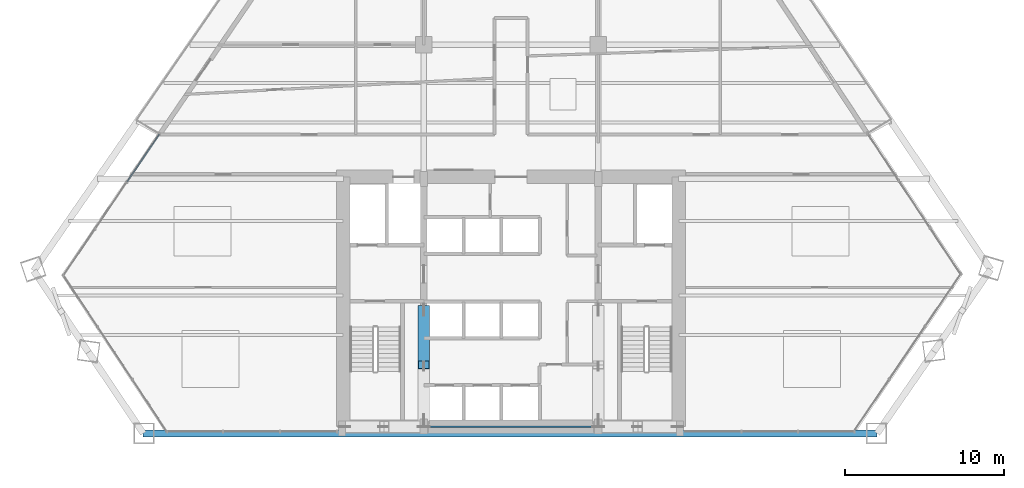
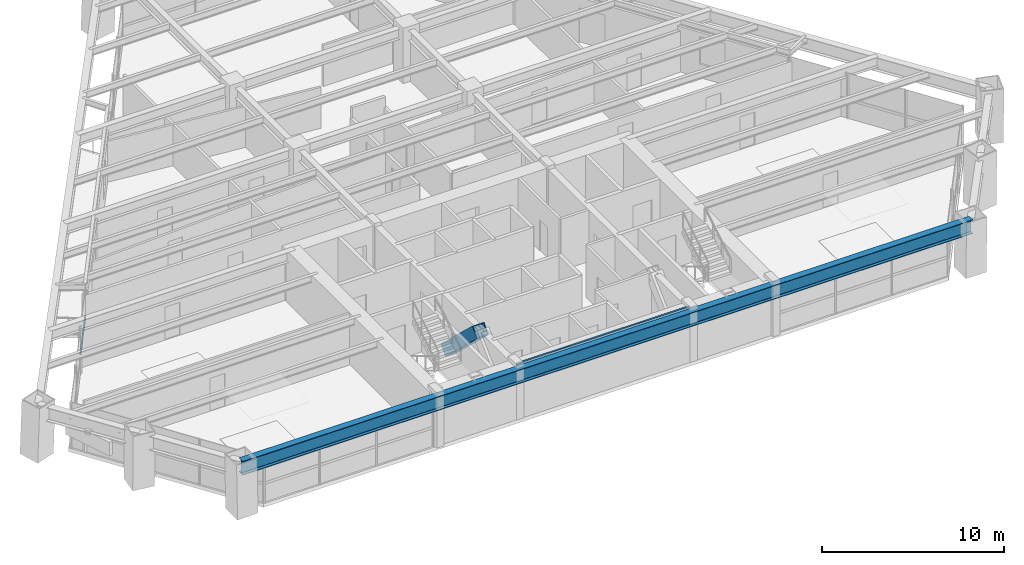
# One storey, part 3 of 14: 2 beams, 2 members, 1 element without a shape of its own.
"""IFC4 building model written with IfcOpenShell, lengths in metres."""

from ifc_helpers import new_model, si_unit, direction, frame, origin, origin_2d, place, context, subcontext, project, spatial, rectangle, hollow_rectangle, i_section, extrude, source, transform, mapped, material, material_profile, profile_set, type_object, type_shapes, element, aggregate, save


model = new_model("IFC4")

# Units and contexts
model_context = context("Model", 3, precision=1e-05, world=origin(), true_north=direction((0.0, 1.0)))
body_context = subcontext(model_context, "Body", "Model", "MODEL_VIEW")
ifc_project = project(units=[si_unit("LENGTHUNIT", "METRE"), si_unit("AREAUNIT", "SQUARE_METRE"), si_unit("VOLUMEUNIT", "CUBIC_METRE"), si_unit("PLANEANGLEUNIT", "RADIAN"), si_unit("MASSUNIT", "GRAM", prefix="KILO")], contexts=[model_context])

# Site, building, storey
site_placement = place(None, origin())
site = spatial("IfcSite", under=ifc_project, at=site_placement, CompositionType="ELEMENT")
building_placement = place(site_placement, origin())
building = spatial("IfcBuilding", under=site, at=building_placement, Name="Varnakhor Terracotta Tower", CompositionType="ELEMENT")
storey_placement = place(building_placement, frame((0.0, 0.0, 64.5)))
storey = spatial("IfcBuildingStorey", under=building, at=storey_placement, Name="L15", CompositionType="ELEMENT", Elevation=64.5)

# Beam
ifc_material_1 = material(Name="Steel S355", Category="steel")
ifc_material_profile_1 = material_profile(ifc_material_1, i_section(OverallWidth=0.1201171875, OverallDepth=0.239990234375, WebThickness=0.006103515625, FlangeThickness=0.009765625, FilletRadius=0.01806640625, at=origin_2d()), Name="IPE240")
ifc_profile_set_1 = profile_set([ifc_material_profile_1], Name="Steel S355")
beam_type_1 = type_object("IfcBeamType", Name="LNT-IPE240", PredefinedType="LINTEL", material=ifc_profile_set_1)
shared_shape_1 = source(origin(), body_context, "Body", "SweptSolid", [
    extrude(i_section(OverallWidth=0.1201171875, OverallDepth=0.239990234375, WebThickness=0.006103515625, FlangeThickness=0.009765625, FilletRadius=0.01806640625, at=origin_2d()), origin(), (0.0, 0.0, 1.0), 11.0),
])
type_shapes(beam_type_1, [shared_shape_1])
beam_1_placement = place(storey_placement, frame((-5.5, 0.419921875, 3.330078125), z_axis=(1.0, 0.0, 0.0), x_axis=(0.0, 1.0, 0.0)))
element("IfcBeam", 1, at=beam_1_placement, inside=storey, type_object=beam_type_1, Name="L15 Core South Coupling Lintel", PredefinedType="LINTEL", context=body_context, shape_type="MappedRepresentation", body=[
    mapped(shared_shape_1, transform((0.0, 0.0, 0.0), scale=1.0)),
])

# Member
ifc_material_2 = material(Name="Steel S460", Category="steel")
ifc_material_profile_2 = material_profile(ifc_material_2, hollow_rectangle(XDim=0.75, YDim=0.75, WallThickness=0.044921875, at=origin_2d()), Name="HSS750X750X45")
ifc_profile_set_2 = profile_set([ifc_material_profile_2], Name="Steel S460")
member_type_1 = type_object("IfcMemberType", Name="MBR-MEGA-750", PredefinedType="BRACE", material=ifc_profile_set_2)
shared_shape_2 = source(origin(), body_context, "Body", "SweptSolid", [
    extrude(hollow_rectangle(XDim=0.75, YDim=0.75, WallThickness=0.044921875, at=origin_2d()), origin(), (0.0, 0.0, 1.0), 4.792236328125),
])
member_1_placement = place(storey_placement, frame((-5.5, 7.800048828125, 0.0), z_axis=(0.0, -0.72513424341, 0.688607529028), x_axis=(1.0, 0.0, 0.0)))
element("IfcMember", 2, at=member_1_placement, inside=storey, type_object=member_type_1, Name="L15 Core Coupled Brace CWWB", PredefinedType="BRACE", context=body_context, shape_type="MappedRepresentation", body=[
    mapped(shared_shape_2, transform((0.0, 0.0, 0.0), scale=1.0)),
])

# Beam
ifc_material_profile_3 = material_profile(ifc_material_1, i_section(OverallWidth=0.41796875, OverallDepth=0.927001953125, WebThickness=0.01904296875, FlangeThickness=0.031982421875, FilletRadius=0.01806640625, at=origin_2d()), Name="W36X231")
ifc_profile_set_3 = profile_set([ifc_material_profile_3], Name="Steel S355")
beam_type_2 = type_object("IfcBeamType", Name="BM-W36X231", PredefinedType="BEAM", material=ifc_profile_set_3)
shared_shape_3 = source(origin(), body_context, "Body", "SweptSolid", [
    extrude(i_section(OverallWidth=0.41796875, OverallDepth=0.927001953125, WebThickness=0.01904296875, FlangeThickness=0.031982421875, FilletRadius=0.01806640625, at=origin_2d()), origin(), (0.0, 0.0, 1.0), 46.270751953125),
])
beam_2_placement = place(storey_placement, frame((-23.1875, 0.0, 2.986572265625), z_axis=(1.0, 0.0, 0.0), x_axis=(0.0, 1.0, 0.0)))
element("IfcBeam", 3, at=beam_2_placement, inside=storey, type_object=beam_type_2, Name="L15 Perimeter Spandrel 1", PredefinedType="BEAM", context=body_context, shape_type="MappedRepresentation", body=[
    mapped(shared_shape_3, transform((0.0, 0.0, 0.0), scale=1.0)),
])

# Curtain wall, member
ifc_material_3 = material(Name="Anodised Aluminium Curtain Wall System", Category="aluminium")
curtain_wall_type = type_object("IfcCurtainWallType", Name="CW-SYS-LOW-OFFICE", PredefinedType="NOTDEFINED", material=ifc_material_3)
curtain_wall_placement = place(storey_placement, origin())
curtain_wall = element("IfcCurtainWall", 4, at=curtain_wall_placement, inside=storey, type_object=curtain_wall_type, Name="L15 W Facet Curtain Wall 1", PredefinedType="NOTDEFINED")
ifc_material_4 = material(Name="Anodised Aluminium 6063-T6", Category="aluminium")
ifc_material_profile_4 = material_profile(ifc_material_4, rectangle(XDim=0.074951171875, YDim=0.1650390625, at=origin_2d()), Name="ALU TRANSOM 75x165")
ifc_profile_set_4 = profile_set([ifc_material_profile_4], Name="Anodised Aluminium 6063-T6")
member_type_2 = type_object("IfcMemberType", Name="CWT-02", PredefinedType="USERDEFINED", material=ifc_profile_set_4)
shared_shape_4 = source(origin(), body_context, "Body", "SweptSolid", [
    extrude(rectangle(XDim=0.074951171875, YDim=0.1650390625, at=origin_2d()), origin(), (0.0, 0.0, 1.0), 3.59619140625),
])
member_2_placement = place(storey_placement, frame((-24.195556640625, 15.880126953125, 1.272705078125), z_axis=(0.56205745206, 0.827098192831, 0.0), x_axis=(-0.827098192831, 0.56205745206, 0.0)))
member_2 = element("IfcMember", 5, at=member_2_placement, type_object=member_type_2, Name="L15 W Facet Curtain Wall 1 Transom 3", ObjectType="TRANSOM", PredefinedType="USERDEFINED", context=body_context, shape_type="MappedRepresentation", body=[
    mapped(shared_shape_4, transform((0.0, 0.0, 0.0), scale=1.0)),
])
aggregate(curtain_wall, [member_2])

save(model, "model.ifc")
